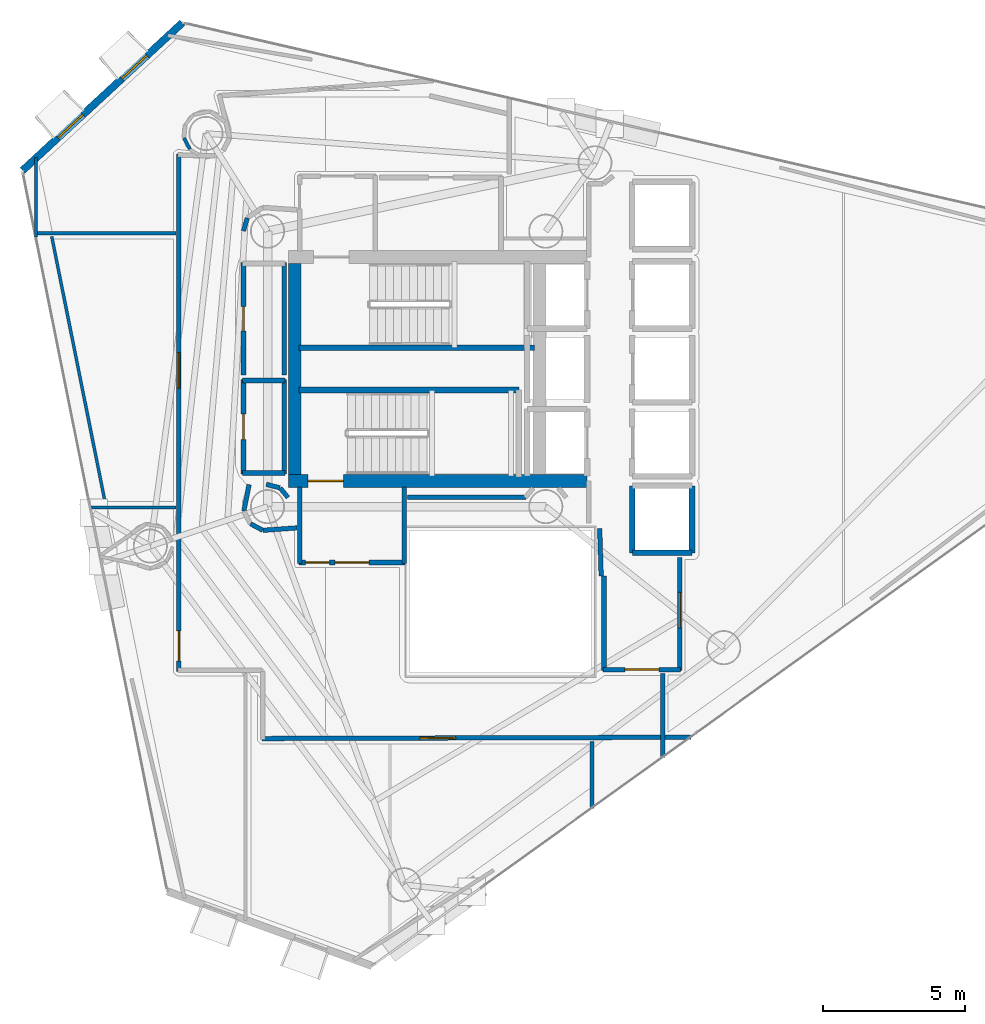
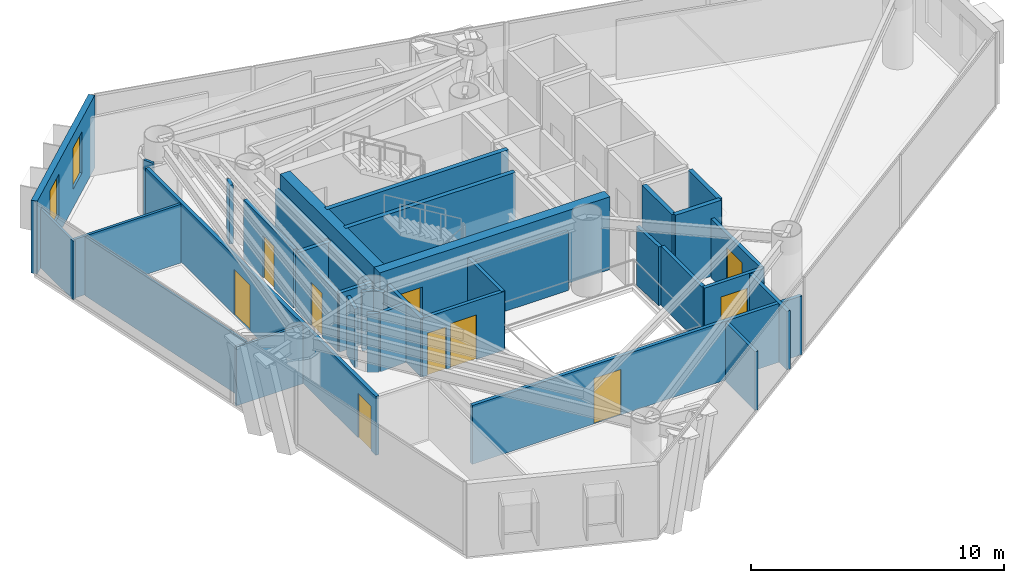
# One storey, part 17 of 22: 37 walls, 10 doors, 2 windows, 12 openings.
"""IFC4 building model written with IfcOpenShell, lengths in metres."""

from ifc_helpers import new_model, si_unit, direction, frame, frame_2d, origin, place, context, subcontext, project, spatial, rectangle, extrude, material, layer, layer_set, type_object, element, fill, save


model = new_model("IFC4")

# Units and contexts
model_context = context("Model", 3, precision=1e-05, world=origin(), true_north=direction((0.0, 1.0)))
body_context = subcontext(model_context, "Body", "Model", "MODEL_VIEW")
ifc_project = project(units=[si_unit("LENGTHUNIT", "METRE"), si_unit("AREAUNIT", "SQUARE_METRE"), si_unit("VOLUMEUNIT", "CUBIC_METRE"), si_unit("PLANEANGLEUNIT", "RADIAN"), si_unit("MASSUNIT", "GRAM", prefix="KILO")], contexts=[model_context])

# Site, building, storey
site_placement = place(None, origin())
site = spatial("IfcSite", under=ifc_project, at=site_placement, CompositionType="ELEMENT")
building_placement = place(site_placement, origin())
building = spatial("IfcBuilding", under=site, at=building_placement, Name="Qianvela Tower", CompositionType="ELEMENT")
storey_placement = place(building_placement, frame((0.0, 0.0, 196.60009765625)))
storey = spatial("IfcBuildingStorey", under=building, at=storey_placement, Name="L50", CompositionType="ELEMENT", Elevation=196.60009765625)

# Wall, openings, windows
ifc_material_1 = material(Name="Terracotta Cladding on Concrete C40", Category="masonry")
ifc_layer_1 = layer(ifc_material_1, 0.260009765625)
ifc_layer_set_1 = layer_set([ifc_layer_1], Name="Terracotta Cladding on Concrete C40")
wall_type_1 = type_object("IfcWallType", Name="TERRACOTTA-WALL-260", PredefinedType="SOLIDWALL", material=ifc_layer_set_1)
wall_1_placement = place(storey_placement, frame((25.60107421875, 40.89306640625, 0.0), z_axis=(0.0, 0.0, 1.0), x_axis=(-0.734371177533, -0.678748092896, 0.0)))
wall_1 = element("IfcWall", 1, at=wall_1_placement, inside=storey, type_object=wall_type_1, Name="L50 Terracotta Chamfer Facet Wall 3", PredefinedType="SOLIDWALL", context=body_context, shape_type="SweptSolid", body=[
    extrude(rectangle(XDim=7.66796875, YDim=0.260009765625, at=frame_2d((3.833984375, 0.0))), origin(), (0.0, 0.0, 1.0), 3.52001953125),
])
opening_1_placement = place(wall_1_placement, frame((1.700439453125, 0.0, 0.89990234375)))
opening_1 = element("IfcOpeningElement", 2, at=opening_1_placement, cuts=wall_1, Name="Opening W-03", PredefinedType="OPENING", context=body_context, shape_type="SweptSolid", body=[
    extrude(rectangle(XDim=1.199951171875, YDim=2.0, at=frame_2d((0.60009765625, 1.0))), frame((0.0, 0.139892578125, 0.0), z_axis=(0.0, -1.0, 0.0), x_axis=(1.0, 0.0, 0.0)), (0.0, 0.0, 1.0), 0.280029296875),
])
opening_2_placement = place(wall_1_placement, frame((4.767578125, 0.0, 0.89990234375)))
opening_2 = element("IfcOpeningElement", 3, at=opening_2_placement, cuts=wall_1, Name="Opening W-03", PredefinedType="OPENING", context=body_context, shape_type="SweptSolid", body=[
    extrude(rectangle(XDim=1.199951171875, YDim=2.0, at=frame_2d((0.60009765625, 1.0))), frame((0.0, 0.139892578125, 0.0), z_axis=(0.0, -1.0, 0.0), x_axis=(1.0, 0.0, 0.0)), (0.0, 0.0, 1.0), 0.280029296875),
])
ifc_material_2 = material(Name="Thermally Broken Aluminium and Low-E Glass", Category="aluminium")
window_type = type_object("IfcWindowType", Name="WIN-TC-1200x2000", PartitioningType="SINGLE_PANEL", PredefinedType="WINDOW", material=ifc_material_2)
window_1_placement = place(opening_1_placement, origin())
window_1 = element("IfcWindow", 4, at=window_1_placement, inside=storey, type_object=window_type, Name="L50 Chamfer Facet Window 3.1", OverallHeight=2.0, OverallWidth=1.199951171875, PartitioningType="SINGLE_PANEL", PredefinedType="WINDOW", context=body_context, shape_type="SweptSolid", body=[
    extrude(rectangle(XDim=1.199951171875, YDim=2.0, at=frame_2d((0.60009765625, 1.0))), frame((0.0, 0.030029296875, 0.0), z_axis=(0.0, -1.0, 0.0), x_axis=(1.0, 0.0, 0.0)), (0.0, 0.0, 1.0), 0.06005859375),
])
fill(opening_1, window_1)
window_2_placement = place(opening_2_placement, origin())
window_2 = element("IfcWindow", 5, at=window_2_placement, inside=storey, type_object=window_type, Name="L50 Chamfer Facet Window 3.2", OverallHeight=2.0, OverallWidth=1.199951171875, PartitioningType="SINGLE_PANEL", PredefinedType="WINDOW", context=body_context, shape_type="SweptSolid", body=[
    extrude(rectangle(XDim=1.199951171875, YDim=2.0, at=frame_2d((0.60009765625, 1.0))), frame((0.0, 0.030029296875, 0.0), z_axis=(0.0, -1.0, 0.0), x_axis=(1.0, 0.0, 0.0)), (0.0, 0.0, 1.0), 0.06005859375),
])
fill(opening_2, window_2)

# Wall, opening, door
ifc_material_3 = material(Name="Concrete C50", Category="concrete")
ifc_layer_2 = layer(ifc_material_3, 0.449951171875)
ifc_layer_set_2 = layer_set([ifc_layer_2], Name="Concrete C50")
wall_type_2 = type_object("IfcWallType", Name="WT-CORE-450", PredefinedType="SHEAR", material=ifc_layer_set_2)
wall_2_placement = place(storey_placement, frame((29.330078125, 24.7548828125, 0.0), z_axis=(0.0, 0.0, 1.0), x_axis=(1.0, 0.0, 0.0)))
wall_2 = element("IfcWall", 6, at=wall_2_placement, inside=storey, type_object=wall_type_2, Name="L50 South Core Shear Wall", PredefinedType="SHEAR", context=body_context, shape_type="SweptSolid", body=[
    extrude(rectangle(XDim=10.52001953125, YDim=0.449951171875, at=frame_2d((5.260009765625, 0.0))), origin(), (0.0, 0.0, 1.0), 3.52001953125),
])
opening_3_placement = place(wall_2_placement, frame((0.695068359375, 0.0, 0.0)))
opening_3 = element("IfcOpeningElement", 7, at=opening_3_placement, cuts=wall_2, Name="Opening D-ST1", PredefinedType="OPENING", context=body_context, shape_type="SweptSolid", body=[
    extrude(rectangle(XDim=1.25, YDim=2.14990234375, at=frame_2d((0.625, 1.074951171875))), frame((0.0, 0.23486328125, 0.0), z_axis=(0.0, -1.0, 0.0), x_axis=(1.0, 0.0, 0.0)), (0.0, 0.0, 1.0), 0.469970703125),
])
ifc_material_4 = material(Name="Galvanised Fire Steel Q355B", Category="steel")
door_type_1 = type_object("IfcDoorType", Name="DT-STAIR-FD90", OperationType="NOTDEFINED", PredefinedType="DOOR", material=ifc_material_4)
door_1_placement = place(opening_3_placement, origin())
door_1 = element("IfcDoor", 8, at=door_1_placement, inside=storey, type_object=door_type_1, Name="L50 Stair ST-2 Exit Door", OperationType="SINGLE_SWING_RIGHT", OverallHeight=2.14990234375, OverallWidth=1.25, PredefinedType="DOOR", context=body_context, shape_type="SweptSolid", body=[
    extrude(rectangle(XDim=1.25, YDim=2.14990234375, at=frame_2d((0.625, 1.074951171875))), frame((0.0, 0.02490234375, 0.0), z_axis=(0.0, -1.0, 0.0), x_axis=(1.0, 0.0, 0.0)), (0.0, 0.0, 1.0), 0.050048828125),
])
fill(opening_3, door_1)

# Wall
wall_3_placement = place(storey_placement, frame((29.554931640625, 24.97998046875, 0.0), z_axis=(0.0, 0.0, 1.0), x_axis=(0.0, 1.0, 0.0)))
element("IfcWall", 9, at=wall_3_placement, inside=storey, type_object=wall_type_2, Name="L50 West Core Shear Wall", PredefinedType="SHEAR", context=body_context, shape_type="SweptSolid", body=[
    extrude(rectangle(XDim=7.43994140625, YDim=0.449951171875, at=frame_2d((3.719970703125, 0.0))), origin(), (0.0, 0.0, 1.0), 3.52001953125),
])

# Wall, openings, doors
ifc_material_5 = material(Name="Fire-Rated Gypsum and Concrete Block", Category="concrete")
ifc_layer_3 = layer(ifc_material_5, 0.159912109375)
ifc_layer_set_3 = layer_set([ifc_layer_3], Name="Fire-Rated Gypsum and Concrete Block")
wall_type_3 = type_object("IfcWallType", Name="WT-CORR-160", PredefinedType="PARTITIONING", material=ifc_layer_set_3)
wall_4_placement = place(storey_placement, frame((33.449951171875, 21.881103515625, 0.0), z_axis=(0.0, 0.0, 1.0), x_axis=(-1.0, 0.0, 0.0)))
wall_4 = element("IfcWall", 10, at=wall_4_placement, inside=storey, type_object=wall_type_3, Name="L50 Partition 5", PredefinedType="PARTITIONING", context=body_context, shape_type="SweptSolid", body=[
    extrude(rectangle(XDim=3.75, YDim=0.159912109375, at=frame_2d((1.875, 0.0))), origin(), (0.0, 0.0, 1.0), 2.83984375),
])
opening_4_placement = place(wall_4_placement, frame((1.27490234375, 0.0, 0.0)))
opening_4 = element("IfcOpeningElement", 11, at=opening_4_placement, cuts=wall_4, Name="Opening D-LB1", PredefinedType="OPENING", context=body_context, shape_type="SweptSolid", body=[
    extrude(rectangle(XDim=1.199951171875, YDim=2.14990234375, at=frame_2d((0.60009765625, 1.074951171875))), frame((0.0, 0.08984375, 0.0), z_axis=(0.0, -1.0, 0.0), x_axis=(1.0, 0.0, 0.0)), (0.0, 0.0, 1.0), 0.179931640625),
])
opening_5_placement = place(wall_4_placement, frame((2.659912109375, 0.0, 0.0)))
opening_5 = element("IfcOpeningElement", 12, at=opening_5_placement, cuts=wall_4, Name="Opening D-LB2", PredefinedType="OPENING", context=body_context, shape_type="SweptSolid", body=[
    extrude(rectangle(XDim=0.860107421875, YDim=2.050048828125, at=frame_2d((0.43017578125, 1.02490234375))), frame((0.0, 0.08984375, 0.0), z_axis=(0.0, -1.0, 0.0), x_axis=(1.0, 0.0, 0.0)), (0.0, 0.0, 1.0), 0.179931640625),
])
ifc_material_6 = material(Name="Glazed Fire-Rated Steel Frame", Category="steel")
door_type_2 = type_object("IfcDoorType", Name="DT-LOBBY-FD90", OperationType="NOTDEFINED", PredefinedType="DOOR", material=ifc_material_6)
door_2_placement = place(opening_4_placement, origin())
door_2 = element("IfcDoor", 13, at=door_2_placement, inside=storey, type_object=door_type_2, Name="L50 Door L50 Firefighting Lobby South to L50 Floor Corridor", OperationType="SINGLE_SWING_LEFT", OverallHeight=2.14990234375, OverallWidth=1.199951171875, PredefinedType="DOOR", context=body_context, shape_type="SweptSolid", body=[
    extrude(rectangle(XDim=1.199951171875, YDim=2.14990234375, at=frame_2d((0.60009765625, 1.074951171875))), frame((0.0, 0.02490234375, 0.0), z_axis=(0.0, -1.0, 0.0), x_axis=(1.0, 0.0, 0.0)), (0.0, 0.0, 1.0), 0.050048828125),
])
fill(opening_4, door_2)
ifc_material_7 = material(Name="Insulated Steel Fire Door Q355B", Category="steel")
door_type_3 = type_object("IfcDoorType", Name="DT-LOBBY-FD90-860", OperationType="NOTDEFINED", PredefinedType="DOOR", material=ifc_material_7)
door_3_placement = place(opening_5_placement, origin())
door_3 = element("IfcDoor", 14, at=door_3_placement, inside=storey, type_object=door_type_3, Name="L50 Door L50 Firefighting Lobby South to L50 Floor Corridor", OperationType="SINGLE_SWING_RIGHT", OverallHeight=2.050048828125, OverallWidth=0.860107421875, PredefinedType="DOOR", context=body_context, shape_type="SweptSolid", body=[
    extrude(rectangle(XDim=0.860107421875, YDim=2.050048828125, at=frame_2d((0.43017578125, 1.02490234375))), frame((0.0, 0.02490234375, 0.0), z_axis=(0.0, -1.0, 0.0), x_axis=(1.0, 0.0, 0.0)), (0.0, 0.0, 1.0), 0.050048828125),
])
fill(opening_5, door_3)

# Walls
for number, where, z_axis, x_axis, name in (
    (15, (29.73095703125, 21.85009765625, 0.0), (0.0, 0.0, 1.0), (0.0, 1.0, 0.0), "L50 Partition 6"),
    (16, (33.4189453125, 24.5419921875, 0.0), (0.0, 0.0, 1.0), (0.0, -1.0, 0.0), "L50 Partition 8"),
):
    element("IfcWall", number, at=place(storey_placement, frame(where, z_axis=z_axis, x_axis=x_axis)), inside=storey, type_object=wall_type_3, Name=name, PredefinedType="PARTITIONING", context=body_context, shape_type="SweptSolid", body=[
        extrude(rectangle(XDim=2.69189453125, YDim=0.159912109375, at=frame_2d((1.345947265625, 0.0))), origin(), (0.0, 0.0, 1.0), 2.83984375),
    ])
wall_5_placement = place(storey_placement, frame((40.35107421875, 21.40087890625, 0.0), z_axis=(0.0, 0.0, 1.0), x_axis=(-0.031058045979, 0.999517582527, 0.0)))
element("IfcWall", 17, at=wall_5_placement, inside=storey, type_object=wall_type_3, Name="L50 Partition 9", PredefinedType="PARTITIONING", context=body_context, shape_type="SweptSolid", body=[
    extrude(rectangle(XDim=1.68212890625, YDim=0.159912109375, at=frame_2d((0.841064453125, 0.0))), origin(), (0.0, 0.0, 1.0), 2.83984375),
])

# Wall, opening, door
wall_6_placement = place(storey_placement, frame((43.118896484375, 22.050048828125, 0.0), z_axis=(0.0, 0.0, 1.0), x_axis=(0.0, -1.0, 0.0)))
wall_6 = element("IfcWall", 18, at=wall_6_placement, inside=storey, type_object=wall_type_3, Name="L50 Partition 17", PredefinedType="PARTITIONING", context=body_context, shape_type="SweptSolid", body=[
    extrude(rectangle(XDim=3.969970703125, YDim=0.159912109375, at=frame_2d((1.98486328125, 0.0))), origin(), (0.0, 0.0, 1.0), 2.83984375),
])
opening_6_placement = place(wall_6_placement, frame((1.219970703125, 0.0, 0.0)))
opening_6 = element("IfcOpeningElement", 19, at=opening_6_placement, cuts=wall_6, Name="Opening D-LG1", PredefinedType="OPENING", context=body_context, shape_type="SweptSolid", body=[
    extrude(rectangle(XDim=1.25, YDim=2.199951171875, at=frame_2d((0.625, 1.10009765625))), frame((0.0, 0.08984375, 0.0), z_axis=(0.0, -1.0, 0.0), x_axis=(1.0, 0.0, 0.0)), (0.0, 0.0, 1.0), 0.179931640625),
])
ifc_material_8 = material(Name="Anodised Aluminium Acoustic Glass Door", Category="aluminium")
door_type_4 = type_object("IfcDoorType", Name="DT-LOUNGE-1250", OperationType="NOTDEFINED", PredefinedType="DOOR", material=ifc_material_8)
door_4_placement = place(opening_6_placement, origin())
door_4 = element("IfcDoor", 20, at=door_4_placement, inside=storey, type_object=door_type_4, Name="L50 Door Collaborative Co-working Office L50-02 to L50 Lift Lobby", OperationType="SINGLE_SWING_LEFT", OverallHeight=2.199951171875, OverallWidth=1.25, PredefinedType="DOOR", context=body_context, shape_type="SweptSolid", body=[
    extrude(rectangle(XDim=1.25, YDim=2.199951171875, at=frame_2d((0.625, 1.10009765625))), frame((0.0, 0.02490234375, 0.0), z_axis=(0.0, -1.0, 0.0), x_axis=(1.0, 0.0, 0.0)), (0.0, 0.0, 1.0), 0.050048828125),
])
fill(opening_6, door_4)

wall_7_placement = place(storey_placement, frame((43.14990234375, 18.111083984375, 0.0), z_axis=(0.0, 0.0, 1.0), x_axis=(-1.0, 0.0, 0.0)))
wall_7 = element("IfcWall", 21, at=wall_7_placement, inside=storey, type_object=wall_type_3, Name="L50 Partition 18", PredefinedType="PARTITIONING", context=body_context, shape_type="SweptSolid", body=[
    extrude(rectangle(XDim=2.72998046875, YDim=0.159912109375, at=frame_2d((1.364990234375, 0.0))), origin(), (0.0, 0.0, 1.0), 2.83984375),
])
opening_7_placement = place(wall_7_placement, frame((0.764892578125, 0.0, 0.0)))
opening_7 = element("IfcOpeningElement", 22, at=opening_7_placement, cuts=wall_7, Name="Opening D-LB1", PredefinedType="OPENING", context=body_context, shape_type="SweptSolid", body=[
    extrude(rectangle(XDim=1.199951171875, YDim=2.14990234375, at=frame_2d((0.60009765625, 1.074951171875))), frame((0.0, 0.08984375, 0.0), z_axis=(0.0, -1.0, 0.0), x_axis=(1.0, 0.0, 0.0)), (0.0, 0.0, 1.0), 0.179931640625),
])
door_5_placement = place(opening_7_placement, origin())
door_5 = element("IfcDoor", 23, at=door_5_placement, inside=storey, type_object=door_type_2, Name="L50 Door L50 Lift Lobby to L50 Floor Corridor", OperationType="SINGLE_SWING_RIGHT", OverallHeight=2.14990234375, OverallWidth=1.199951171875, PredefinedType="DOOR", context=body_context, shape_type="SweptSolid", body=[
    extrude(rectangle(XDim=1.199951171875, YDim=2.14990234375, at=frame_2d((0.60009765625, 1.074951171875))), frame((0.0, 0.02490234375, 0.0), z_axis=(0.0, -1.0, 0.0), x_axis=(1.0, 0.0, 0.0)), (0.0, 0.0, 1.0), 0.050048828125),
])
fill(opening_7, door_5)

# Walls
wall_8_placement = place(storey_placement, frame((40.450927734375, 18.080078125, 0.0), z_axis=(0.0, 0.0, 1.0), x_axis=(0.0, 1.0, 0.0)))
element("IfcWall", 24, at=wall_8_placement, inside=storey, type_object=wall_type_3, Name="L50 Partition 19 seg 1", PredefinedType="PARTITIONING", context=body_context, shape_type="SweptSolid", body=[
    extrude(rectangle(XDim=3.31982421875, YDim=0.159912109375, at=frame_2d((1.659912109375, 0.0))), origin(), (0.0, 0.0, 1.0), 2.83984375),
])
wall_9_placement = place(storey_placement, frame((29.321044921875, 24.169921875, 0.0), z_axis=(0.0, 0.0, 1.0), x_axis=(-0.638008265708, 0.770029514296, 0.0)))
element("IfcWall", 25, at=wall_9_placement, inside=storey, type_object=wall_type_3, Name="L50 Partition 36", PredefinedType="PARTITIONING", context=body_context, shape_type="SweptSolid", body=[
    extrude(rectangle(XDim=0.430908203125, YDim=0.159912109375, at=frame_2d((0.21533203125, 0.0))), origin(), (0.0, 0.0, 1.0), 2.83984375),
])
wall_10_placement = place(storey_placement, frame((29.030029296875, 24.511962890625, 0.0), z_axis=(0.0, 0.0, 1.0), x_axis=(-0.967681003213, 0.252177469296, 0.0)))
element("IfcWall", 26, at=wall_10_placement, inside=storey, type_object=wall_type_3, Name="L50 Partition 37", PredefinedType="PARTITIONING", context=body_context, shape_type="SweptSolid", body=[
    extrude(rectangle(XDim=0.488037109375, YDim=0.159912109375, at=frame_2d((0.244140625, 0.0))), origin(), (0.0, 0.0, 1.0), 2.83984375),
])
wall_11_placement = place(storey_placement, frame((37.70263671875, 24.180908203125, 0.0), z_axis=(0.0, 0.0, 1.0), x_axis=(-1.0, 0.0, 0.0)))
element("IfcWall", 27, at=wall_11_placement, inside=storey, type_object=wall_type_3, Name="L50 Partition 49", PredefinedType="PARTITIONING", context=body_context, shape_type="SweptSolid", body=[
    extrude(rectangle(XDim=4.172607421875, YDim=0.159912109375, at=frame_2d((2.08642578125, 0.0))), origin(), (0.0, 0.0, 1.0), 2.83984375),
])
wall_12_placement = place(storey_placement, frame((27.888427734375, 34.0146484375, 0.0), z_axis=(0.0, 0.0, 1.0), x_axis=(-0.290263585829, -0.956946733492, 0.0)))
element("IfcWall", 28, at=wall_12_placement, inside=storey, type_object=wall_type_3, Name="L50 Partition 58", PredefinedType="PARTITIONING", context=body_context, shape_type="SweptSolid", body=[
    extrude(rectangle(XDim=0.47607421875, YDim=0.159912109375, at=frame_2d((0.238037109375, 0.0))), origin(), (0.0, 0.0, 1.0), 2.83984375),
])
wall_13_placement = place(storey_placement, frame((27.950439453125, 24.626220703125, 0.0), z_axis=(0.0, 0.0, 1.0), x_axis=(-0.195125950178, -0.980778192848, 0.0)))
element("IfcWall", 29, at=wall_13_placement, inside=storey, type_object=wall_type_3, Name="L50 Partition 62", PredefinedType="PARTITIONING", context=body_context, shape_type="SweptSolid", body=[
    extrude(rectangle(XDim=0.948486328125, YDim=0.159912109375, at=frame_2d((0.47412109375, 0.0))), origin(), (0.0, 0.0, 1.0), 2.83984375),
])
wall_14_placement = place(storey_placement, frame((28.005615234375, 23.242919921875, 0.0), z_axis=(0.0, 0.0, 1.0), x_axis=(0.881670519123, -0.471865548338, 0.0)))
element("IfcWall", 30, at=wall_14_placement, inside=storey, type_object=wall_type_3, Name="L50 Partition 64", PredefinedType="PARTITIONING", context=body_context, shape_type="SweptSolid", body=[
    extrude(rectangle(XDim=0.47607421875, YDim=0.159912109375, at=frame_2d((0.238037109375, 0.0))), origin(), (0.0, 0.0, 1.0), 2.83984375),
])
wall_15_placement = place(storey_placement, frame((28.4423828125, 23.014892578125, 0.0), z_axis=(0.0, 0.0, 1.0), x_axis=(0.99740683837, 0.07196942943, 0.0)))
element("IfcWall", 31, at=wall_15_placement, inside=storey, type_object=wall_type_3, Name="L50 Partition 65", PredefinedType="PARTITIONING", context=body_context, shape_type="SweptSolid", body=[
    extrude(rectangle(XDim=1.200927734375, YDim=0.159912109375, at=frame_2d((0.6005859375, 0.0))), origin(), (0.0, 0.0, 1.0), 2.83984375),
])
wall_16_placement = place(storey_placement, frame((42.51904296875, 17.97998046875, 0.0), z_axis=(0.0, 0.0, 1.0), x_axis=(0.0, -1.0, 0.0)))
element("IfcWall", 32, at=wall_16_placement, inside=storey, type_object=wall_type_3, Name="L50 Partition 69", PredefinedType="PARTITIONING", context=body_context, shape_type="SweptSolid", body=[
    extrude(rectangle(XDim=2.969482421875, YDim=0.159912109375, at=frame_2d((1.48486328125, 0.0))), origin(), (0.0, 0.0, 1.0), 2.83984375),
])

# Wall, opening, door
wall_17_placement = place(storey_placement, frame((43.5078125, 15.72705078125, 0.0), z_axis=(0.0, 0.0, 1.0), x_axis=(-0.999995335964, -0.003054185684, 0.0)))
wall_17 = element("IfcWall", 33, at=wall_17_placement, inside=storey, type_object=wall_type_3, Name="L50 Partition 70", PredefinedType="PARTITIONING", context=body_context, shape_type="SweptSolid", body=[
    extrude(rectangle(XDim=15.10791015625, YDim=0.159912109375, at=frame_2d((7.553955078125, 0.0))), origin(), (0.0, 0.0, 1.0), 2.83984375),
])
opening_8_placement = place(wall_17_placement, frame((8.28662109375, 0.0, 0.0)))
opening_8 = element("IfcOpeningElement", 34, at=opening_8_placement, cuts=wall_17, Name="Opening D-LG1", PredefinedType="OPENING", context=body_context, shape_type="SweptSolid", body=[
    extrude(rectangle(XDim=1.25, YDim=2.199951171875, at=frame_2d((0.625, 1.10009765625))), frame((0.0, 0.08984375, 0.0), z_axis=(0.0, -1.0, 0.0), x_axis=(1.0, 0.0, 0.0)), (0.0, 0.0, 1.0), 0.179931640625),
])
door_6_placement = place(opening_8_placement, origin())
door_6 = element("IfcDoor", 35, at=door_6_placement, inside=storey, type_object=door_type_4, Name="L50 Door Panoramic Study Lounge L50-05 to L50 Floor Corridor", OperationType="SINGLE_SWING_RIGHT", OverallHeight=2.199951171875, OverallWidth=1.25, PredefinedType="DOOR", context=body_context, shape_type="SweptSolid", body=[
    extrude(rectangle(XDim=1.25, YDim=2.199951171875, at=frame_2d((0.625, 1.10009765625))), frame((0.0, 0.02490234375, 0.0), z_axis=(0.0, -1.0, 0.0), x_axis=(1.0, 0.0, 0.0)), (0.0, 0.0, 1.0), 0.050048828125),
])
fill(opening_8, door_6)

# Wall, openings, doors
wall_18_placement = place(storey_placement, frame((25.48095703125, 18.050048828125, 0.0), z_axis=(0.0, 0.0, 1.0), x_axis=(0.0, 1.0, 0.0)))
wall_18 = element("IfcWall", 36, at=wall_18_placement, inside=storey, type_object=wall_type_3, Name="L50 Partition 73", PredefinedType="PARTITIONING", context=body_context, shape_type="SweptSolid", body=[
    extrude(rectangle(XDim=18.218505859375, YDim=0.159912109375, at=frame_2d((9.109375, 0.0))), origin(), (0.0, 0.0, 1.0), 2.83984375),
])
opening_9_placement = place(wall_18_placement, frame((0.369384765625, 0.0, 0.0)))
opening_9 = element("IfcOpeningElement", 37, at=opening_9_placement, cuts=wall_18, Name="Opening D-PL1", PredefinedType="OPENING", context=body_context, shape_type="SweptSolid", body=[
    extrude(rectangle(XDim=1.050048828125, YDim=2.14990234375, at=frame_2d((0.52490234375, 1.074951171875))), frame((0.0, 0.08984375, 0.0), z_axis=(0.0, -1.0, 0.0), x_axis=(1.0, 0.0, 0.0)), (0.0, 0.0, 1.0), 0.179931640625),
])
opening_10_placement = place(wall_18_placement, frame((9.97509765625, 0.0, 0.0)))
opening_10 = element("IfcOpeningElement", 38, at=opening_10_placement, cuts=wall_18, Name="Opening D-LG1", PredefinedType="OPENING", context=body_context, shape_type="SweptSolid", body=[
    extrude(rectangle(XDim=1.25, YDim=2.199951171875, at=frame_2d((0.625, 1.10009765625))), frame((0.0, 0.08984375, 0.0), z_axis=(0.0, -1.0, 0.0), x_axis=(1.0, 0.0, 0.0)), (0.0, 0.0, 1.0), 0.179931640625),
])
door_7_placement = place(opening_10_placement, origin())
door_7 = element("IfcDoor", 39, at=door_7_placement, inside=storey, type_object=door_type_4, Name="L50 Door Quiet Reading Study L50-04 to L50 Floor Corridor", OperationType="SINGLE_SWING_LEFT", OverallHeight=2.199951171875, OverallWidth=1.25, PredefinedType="DOOR", context=body_context, shape_type="SweptSolid", body=[
    extrude(rectangle(XDim=1.25, YDim=2.199951171875, at=frame_2d((0.625, 1.10009765625))), frame((0.0, 0.02490234375, 0.0), z_axis=(0.0, -1.0, 0.0), x_axis=(1.0, 0.0, 0.0)), (0.0, 0.0, 1.0), 0.050048828125),
])
fill(opening_10, door_7)
ifc_material_9 = material(Name="Insulated Steel Fire Door Q355B", Category="steel")
door_type_5 = type_object("IfcDoorType", Name="DT-PLANT-FD90", OperationType="NOTDEFINED", PredefinedType="DOOR", material=ifc_material_9)
door_8_placement = place(opening_9_placement, origin())
door_8 = element("IfcDoor", 40, at=door_8_placement, inside=storey, type_object=door_type_5, Name="L50 Door Digital Research Office L50-01 to L50 Floor Corridor", OperationType="SINGLE_SWING_RIGHT", OverallHeight=2.14990234375, OverallWidth=1.050048828125, PredefinedType="DOOR", context=body_context, shape_type="SweptSolid", body=[
    extrude(rectangle(XDim=1.050048828125, YDim=2.14990234375, at=frame_2d((0.52490234375, 1.074951171875))), frame((0.0, 0.02490234375, 0.0), z_axis=(0.0, -1.0, 0.0), x_axis=(1.0, 0.0, 0.0)), (0.0, 0.0, 1.0), 0.050048828125),
])
fill(opening_9, door_8)

# Walls
ifc_material_10 = material(Name="Lightweight Gypsum Room Partition")
ifc_layer_4 = layer(ifc_material_10, 0.10498046875)
ifc_layer_set_4 = layer_set([ifc_layer_4], Name="Lightweight Gypsum Room Partition")
wall_type_4 = type_object("IfcWallType", Name="WT-PART-105", PredefinedType="PARTITIONING", material=ifc_layer_set_4)
wall_19_placement = place(storey_placement, frame((22.3330078125, 23.826904296875, 0.0), z_axis=(0.0, 0.0, 1.0), x_axis=(1.0, 0.0, 0.0)))
element("IfcWall", 41, at=wall_19_placement, inside=storey, type_object=wall_type_4, Name="L50 Partition 89", PredefinedType="PARTITIONING", context=body_context, shape_type="SweptSolid", body=[
    extrude(rectangle(XDim=3.037109375, YDim=0.10498046875, at=frame_2d((1.5185546875, 0.0))), origin(), (0.0, 0.0, 1.0), 2.83984375),
])
wall_20_placement = place(storey_placement, frame((20.44189453125, 33.339599609375, 0.0), z_axis=(0.0, 0.0, 1.0), x_axis=(-0.000608960305, 0.999999814584, 0.0)))
element("IfcWall", 42, at=wall_20_placement, inside=storey, type_object=wall_type_4, Name="L50 Partition 119", PredefinedType="PARTITIONING", context=body_context, shape_type="SweptSolid", body=[
    extrude(rectangle(XDim=2.806396484375, YDim=0.10498046875, at=frame_2d((1.4033203125, 0.0))), origin(), (0.0, 0.0, 1.0), 2.83984375),
])
wall_21_placement = place(storey_placement, frame((22.890869140625, 23.947998046875, 0.0), z_axis=(0.0, 0.0, 1.0), x_axis=(-0.196981324141, 0.980407240865, 0.0)))
element("IfcWall", 43, at=wall_21_placement, inside=storey, type_object=wall_type_4, Name="L50 Partition 125", PredefinedType="PARTITIONING", context=body_context, shape_type="SweptSolid", body=[
    extrude(rectangle(XDim=9.604248046875, YDim=0.10498046875, at=frame_2d((4.80224609375, 0.0))), origin(), (0.0, 0.0, 1.0), 2.83984375),
])
ifc_material_11 = material(Name="Insulated Gypsum Stud Partition")
ifc_layer_5 = layer(ifc_material_11, 0.1201171875)
ifc_layer_set_5 = layer_set([ifc_layer_5], Name="Insulated Gypsum Stud Partition")
wall_type_5 = type_object("IfcWallType", Name="WT-PART-120", PredefinedType="PARTITIONING", material=ifc_layer_set_5)
wall_22_placement = place(storey_placement, frame((25.658203125, 36.8291015625, 0.0), z_axis=(0.0, 0.0, 1.0), x_axis=(0.471392110461, -0.881923737177, 0.0)))
element("IfcWall", 44, at=wall_22_placement, inside=storey, type_object=wall_type_5, Name="L50 Partition 115", PredefinedType="PARTITIONING", context=body_context, shape_type="SweptSolid", body=[
    extrude(rectangle(XDim=0.441162109375, YDim=0.1201171875, at=frame_2d((0.220703125, 0.0))), origin(), (0.0, 0.0, 1.0), 2.83984375),
])
wall_23_placement = place(storey_placement, frame((25.3701171875, 33.472900390625, 0.0), z_axis=(0.0, 0.0, 1.0), x_axis=(-1.0, 0.0, 0.0)))
element("IfcWall", 45, at=wall_23_placement, inside=storey, type_object=wall_type_5, Name="L50 Partition 118", PredefinedType="PARTITIONING", context=body_context, shape_type="SweptSolid", body=[
    extrude(rectangle(XDim=4.97509765625, YDim=0.1201171875, at=frame_2d((2.487548828125, 0.0))), origin(), (0.0, 0.0, 1.0), 2.83984375),
])

# Wall, opening, door
ifc_material_12 = material(Name="Moisture-Resistant Acoustic Plumbing Wall")
ifc_layer_6 = layer(ifc_material_12, 0.175048828125)
ifc_layer_set_6 = layer_set([ifc_layer_6], Name="Moisture-Resistant Acoustic Plumbing Wall")
wall_type_6 = type_object("IfcWallType", Name="WT-PLUMB-175", PredefinedType="PLUMBINGWALL", material=ifc_layer_set_6)
wall_24_placement = place(storey_placement, frame((27.7509765625, 25.0, 0.0), z_axis=(0.0, 0.0, 1.0), x_axis=(0.0, 1.0, 0.0)))
wall_24 = element("IfcWall", 46, at=wall_24_placement, inside=storey, type_object=wall_type_6, Name="L50 Partition 24", PredefinedType="PLUMBINGWALL", context=body_context, shape_type="SweptSolid", body=[
    extrude(rectangle(XDim=3.320068359375, YDim=0.175048828125, at=frame_2d((1.66015625, 0.0))), origin(), (0.0, 0.0, 1.0), 2.83984375),
])
opening_11_placement = place(wall_24_placement, frame((1.2099609375, 0.0, 0.0)))
opening_11 = element("IfcOpeningElement", 47, at=opening_11_placement, cuts=wall_24, Name="Opening D-KT1", PredefinedType="OPENING", context=body_context, shape_type="SweptSolid", body=[
    extrude(rectangle(XDim=0.89990234375, YDim=2.10009765625, at=frame_2d((0.449951171875, 1.050048828125))), frame((0.0, 0.097412109375, 0.0), z_axis=(0.0, -1.0, 0.0), x_axis=(1.0, 0.0, 0.0)), (0.0, 0.0, 1.0), 0.195068359375),
])
ifc_material_13 = material(Name="Glazed Timber Kitchen Door", Category="wood")
door_type_6 = type_object("IfcDoorType", Name="DT-KITCH-900", OperationType="NOTDEFINED", PredefinedType="DOOR", material=ifc_material_13)
door_9_placement = place(opening_11_placement, origin())
door_9 = element("IfcDoor", 48, at=door_9_placement, inside=storey, type_object=door_type_6, Name="L50 Door L50 Core Tea Pantry West to L50 Floor Corridor", OperationType="SINGLE_SWING_RIGHT", OverallHeight=2.10009765625, OverallWidth=0.89990234375, PredefinedType="DOOR", context=body_context, shape_type="SweptSolid", body=[
    extrude(rectangle(XDim=0.89990234375, YDim=2.10009765625, at=frame_2d((0.449951171875, 1.050048828125))), frame((0.0, 0.02490234375, 0.0), z_axis=(0.0, -1.0, 0.0), x_axis=(1.0, 0.0, 0.0)), (0.0, 0.0, 1.0), 0.050048828125),
])
fill(opening_11, door_9)

# Walls
wall_25_placement = place(storey_placement, frame((27.719970703125, 28.2890625, 0.0), z_axis=(0.0, 0.0, 1.0), x_axis=(1.0, 0.0, 0.0)))
element("IfcWall", 49, at=wall_25_placement, inside=storey, type_object=wall_type_6, Name="L50 Partition 25", PredefinedType="PLUMBINGWALL", context=body_context, shape_type="SweptSolid", body=[
    extrude(rectangle(XDim=1.5, YDim=0.175048828125, at=frame_2d((0.75, 0.0))), origin(), (0.0, 0.0, 1.0), 2.83984375),
])
wall_26_placement = place(storey_placement, frame((29.18896484375, 28.320068359375, 0.0), z_axis=(0.0, 0.0, 1.0), x_axis=(0.0, -1.0, 0.0)))
element("IfcWall", 50, at=wall_26_placement, inside=storey, type_object=wall_type_6, Name="L50 Partition 26", PredefinedType="PLUMBINGWALL", context=body_context, shape_type="SweptSolid", body=[
    extrude(rectangle(XDim=3.320068359375, YDim=0.175048828125, at=frame_2d((1.66015625, 0.0))), origin(), (0.0, 0.0, 1.0), 2.83984375),
])
wall_27_placement = place(storey_placement, frame((29.219970703125, 25.031005859375, 0.0), z_axis=(0.0, 0.0, 1.0), x_axis=(-1.0, 0.0, 0.0)))
element("IfcWall", 51, at=wall_27_placement, inside=storey, type_object=wall_type_6, Name="L50 Partition 27", PredefinedType="PLUMBINGWALL", context=body_context, shape_type="SweptSolid", body=[
    extrude(rectangle(XDim=1.5, YDim=0.175048828125, at=frame_2d((0.75, 0.0))), origin(), (0.0, 0.0, 1.0), 2.83984375),
])

# Wall, opening, door
wall_28_placement = place(storey_placement, frame((27.7509765625, 28.47998046875, 0.0), z_axis=(0.0, 0.0, 1.0), x_axis=(0.0, 1.0, 0.0)))
wall_28 = element("IfcWall", 52, at=wall_28_placement, inside=storey, type_object=wall_type_6, Name="L50 Partition 28", PredefinedType="PLUMBINGWALL", context=body_context, shape_type="SweptSolid", body=[
    extrude(rectangle(XDim=3.969970703125, YDim=0.175048828125, at=frame_2d((1.98486328125, 0.0))), origin(), (0.0, 0.0, 1.0), 2.83984375),
])
opening_12_placement = place(wall_28_placement, frame((1.554931640625, 0.0, 0.0)))
opening_12 = element("IfcOpeningElement", 53, at=opening_12_placement, cuts=wall_28, Name="Opening D-WC1", PredefinedType="OPENING", context=body_context, shape_type="SweptSolid", body=[
    extrude(rectangle(XDim=0.860107421875, YDim=2.050048828125, at=frame_2d((0.43017578125, 1.02490234375))), frame((0.0, 0.097412109375, 0.0), z_axis=(0.0, -1.0, 0.0), x_axis=(1.0, 0.0, 0.0)), (0.0, 0.0, 1.0), 0.195068359375),
])
ifc_material_14 = material(Name="Moisture-Sealed Acoustic Timber Door", Category="wood")
door_type_7 = type_object("IfcDoorType", Name="DT-WC-860", OperationType="NOTDEFINED", PredefinedType="DOOR", material=ifc_material_14)
door_10_placement = place(opening_12_placement, origin())
door_10 = element("IfcDoor", 54, at=door_10_placement, inside=storey, type_object=door_type_7, Name="L50 Door L50 Accessible WC to L50 Floor Corridor", OperationType="SINGLE_SWING_LEFT", OverallHeight=2.050048828125, OverallWidth=0.860107421875, PredefinedType="DOOR", context=body_context, shape_type="SweptSolid", body=[
    extrude(rectangle(XDim=0.860107421875, YDim=2.050048828125, at=frame_2d((0.43017578125, 1.02490234375))), frame((0.0, 0.02490234375, 0.0), z_axis=(0.0, -1.0, 0.0), x_axis=(1.0, 0.0, 0.0)), (0.0, 0.0, 1.0), 0.050048828125),
])
fill(opening_12, door_10)

# Walls
wall_29_placement = place(storey_placement, frame((29.18896484375, 32.449951171875, 0.0), z_axis=(0.0, 0.0, 1.0), x_axis=(0.0, -1.0, 0.0)))
element("IfcWall", 55, at=wall_29_placement, inside=storey, type_object=wall_type_6, Name="L50 Partition 30", PredefinedType="PLUMBINGWALL", context=body_context, shape_type="SweptSolid", body=[
    extrude(rectangle(XDim=3.969970703125, YDim=0.175048828125, at=frame_2d((1.98486328125, 0.0))), origin(), (0.0, 0.0, 1.0), 2.83984375),
])
ifc_material_15 = material(Name="Acoustic Double Gypsum Stud Partition")
ifc_layer_7 = layer(ifc_material_15, 0.139892578125)
ifc_layer_set_7 = layer_set([ifc_layer_7], Name="Acoustic Double Gypsum Stud Partition")
wall_type_7 = type_object("IfcWallType", Name="WT-ROOM-140", PredefinedType="PARTITIONING", material=ifc_layer_set_7)
wall_30_placement = place(storey_placement, frame((40.027099609375, 15.570068359375, 0.0), z_axis=(0.0, 0.0, 1.0), x_axis=(0.0, -1.0, 0.0)))
element("IfcWall", 56, at=wall_30_placement, inside=storey, type_object=wall_type_7, Name="L50 Partition 129", PredefinedType="PARTITIONING", context=body_context, shape_type="SweptSolid", body=[
    extrude(rectangle(XDim=2.35107421875, YDim=0.139892578125, at=frame_2d((1.175537109375, 0.0))), origin(), (0.0, 0.0, 1.0), 2.83984375),
])
ifc_material_16 = material(Name="Concrete C50", Category="concrete")
ifc_layer_8 = layer(ifc_material_16, 0.199951171875)
ifc_layer_set_8 = layer_set([ifc_layer_8], Name="Concrete C50")
wall_type_8 = type_object("IfcWallType", Name="WT-SHAFT-200", PredefinedType="SOLIDWALL", material=ifc_layer_set_8)
wall_31_placement = place(storey_placement, frame((29.699951171875, 29.449951171875, 0.0), z_axis=(0.0, 0.0, 1.0), x_axis=(1.0, 0.0, 0.0)))
element("IfcWall", 57, at=wall_31_placement, inside=storey, type_object=wall_type_8, Name="L50 Stair ST-1 South Wall", PredefinedType="SOLIDWALL", context=body_context, shape_type="SweptSolid", body=[
    extrude(rectangle(XDim=8.300048828125, YDim=0.199951171875, at=frame_2d((4.14990234375, 0.0))), origin(), (0.0, 0.0, 1.0), 3.52001953125),
])
wall_32_placement = place(storey_placement, frame((29.699951171875, 27.9599609375, 0.0), z_axis=(0.0, 0.0, 1.0), x_axis=(1.0, 0.0, 0.0)))
element("IfcWall", 58, at=wall_32_placement, inside=storey, type_object=wall_type_8, Name="L50 Stair ST-2 North Wall", PredefinedType="SOLIDWALL", context=body_context, shape_type="SweptSolid", body=[
    extrude(rectangle(XDim=7.75, YDim=0.199951171875, at=frame_2d((3.875, 0.0))), origin(), (0.0, 0.0, 1.0), 3.52001953125),
])
for number, where, z_axis, x_axis, name in (
    (59, (43.550048828125, 22.219970703125, 0.0), (0.0, 0.0, 1.0), (0.0, 1.0, 0.0), "L50 Lift PL-H2 E Shaft Wall"),
    (60, (41.449951171875, 22.219970703125, 0.0), (0.0, 0.0, 1.0), (0.0, 1.0, 0.0), "L50 Lift PL-H2 W Shaft Wall"),
):
    element("IfcWall", number, at=place(storey_placement, frame(where, z_axis=z_axis, x_axis=x_axis)), inside=storey, type_object=wall_type_8, Name=name, PredefinedType="SOLIDWALL", context=body_context, shape_type="SweptSolid", body=[
        extrude(rectangle(XDim=2.360107421875, YDim=0.199951171875, at=frame_2d((1.18017578125, 0.0))), origin(), (0.0, 0.0, 1.0), 3.52001953125),
    ])
wall_33_placement = place(storey_placement, frame((41.449951171875, 22.219970703125, 0.0), z_axis=(0.0, 0.0, 1.0), x_axis=(1.0, 0.0, 0.0)))
element("IfcWall", 61, at=wall_33_placement, inside=storey, type_object=wall_type_8, Name="L50 Lift PL-H2 S Shaft Wall", PredefinedType="SOLIDWALL", context=body_context, shape_type="SweptSolid", body=[
    extrude(rectangle(XDim=2.10009765625, YDim=0.199951171875, at=frame_2d((1.050048828125, 0.0))), origin(), (0.0, 0.0, 1.0), 3.52001953125),
])

save(model, "model.ifc")
